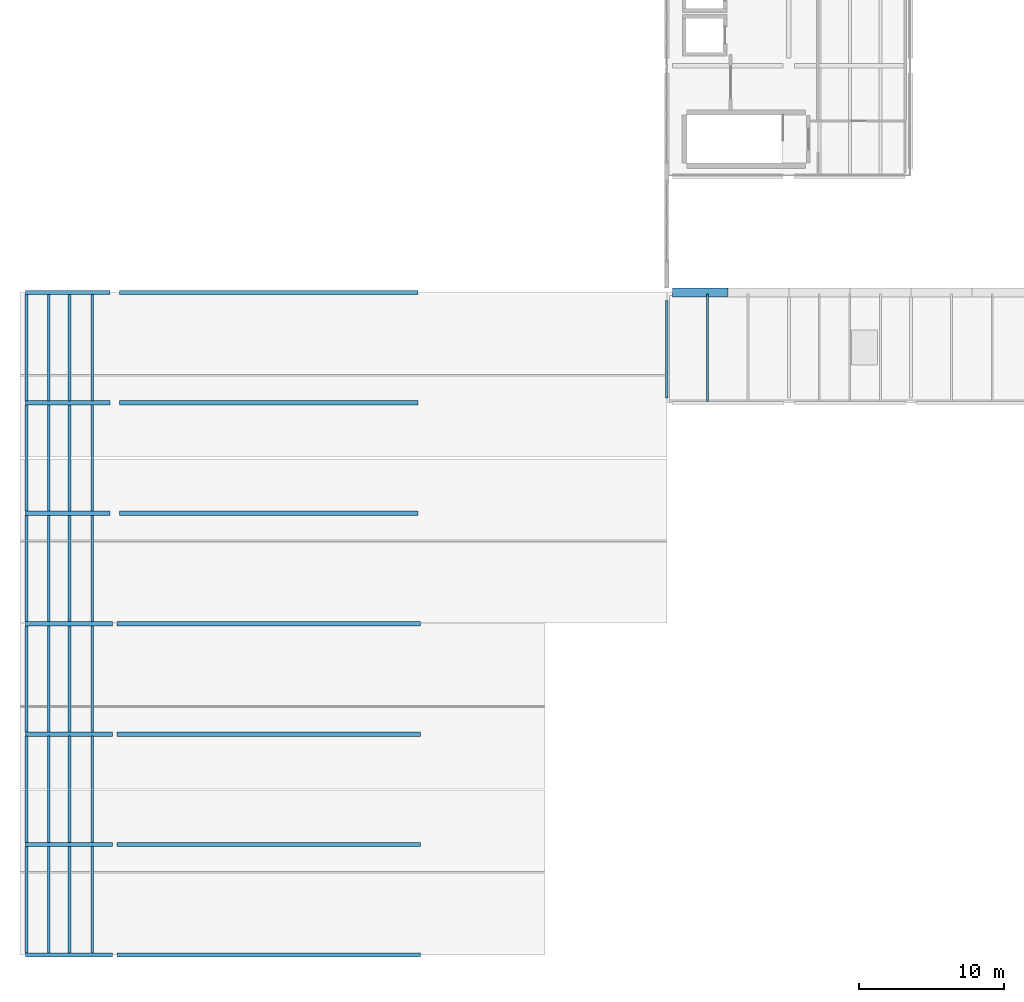
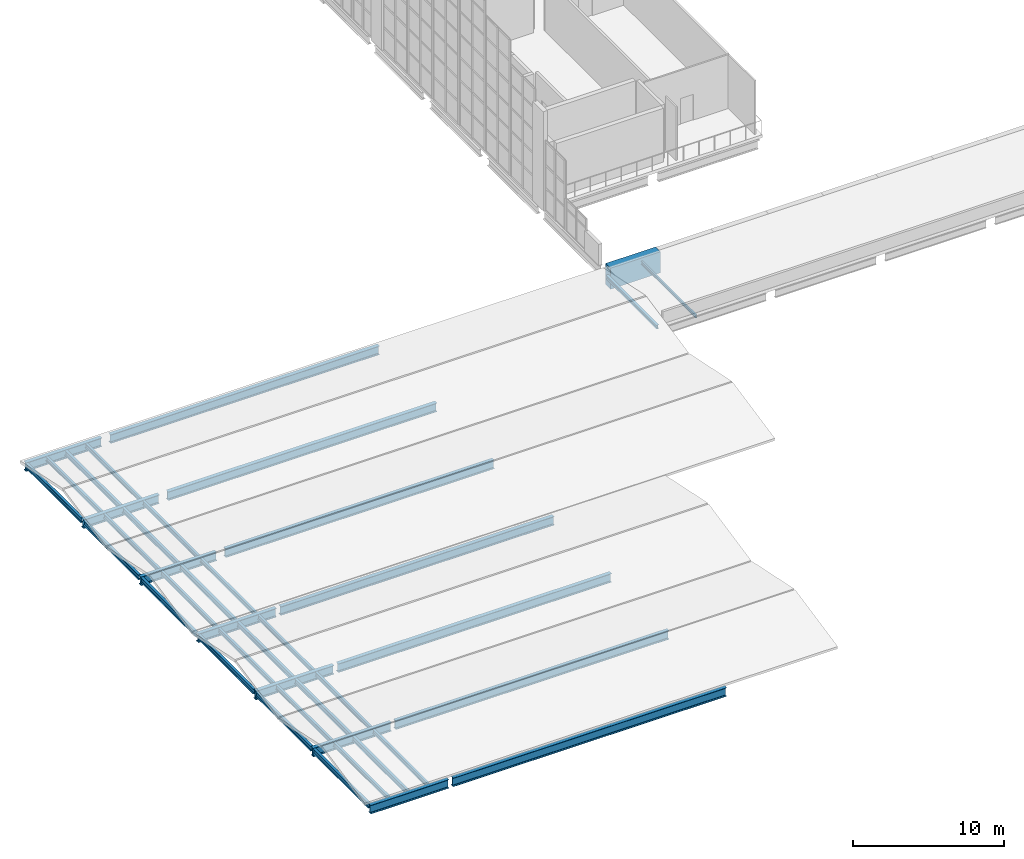
# One storey, part 6 of 37: 41 beams.
"""IFC4 building model written with IfcOpenShell, lengths in metres."""

from ifc_helpers import new_model, si_unit, direction, frame, origin, origin_2d, place, context, subcontext, project, spatial, rectangle, i_section, extrude, material, material_profile, profile_set, type_object, element, save


model = new_model("IFC4")

# Units and contexts
model_context = context("Model", 3, precision=1e-05, world=origin(), true_north=direction((0.0, 1.0)))
body_context = subcontext(model_context, "Body", "Model", "MODEL_VIEW")
ifc_project = project(units=[si_unit("LENGTHUNIT", "METRE"), si_unit("AREAUNIT", "SQUARE_METRE"), si_unit("VOLUMEUNIT", "CUBIC_METRE"), si_unit("PLANEANGLEUNIT", "RADIAN"), si_unit("MASSUNIT", "GRAM", prefix="KILO")], contexts=[model_context])

# Site, building, storey
site_placement = place(None, origin())
site = spatial("IfcSite", under=ifc_project, at=site_placement, CompositionType="ELEMENT")
building_placement = place(site_placement, origin())
building = spatial("IfcBuilding", under=site, at=building_placement, Name="Shengluoqiao Park Theatre", CompositionType="ELEMENT")
storey_placement = place(building_placement, frame((0.0, 0.0, 19.199951171875)))
storey = spatial("IfcBuildingStorey", under=building, at=storey_placement, Name="L04", CompositionType="ELEMENT", Elevation=19.199951171875)

# Beams
ifc_material_1 = material(Name="Concrete C50", Category="concrete")
ifc_material_profile_1 = material_profile(ifc_material_1, rectangle(XDim=0.64990234375, YDim=1.699951171875, at=origin_2d()), Name="RC EDGE 650x1700")
ifc_profile_set_1 = profile_set([ifc_material_profile_1], Name="Concrete C50")
beam_type_1 = type_object("IfcBeamType", Name="STR-BM-EB-6517", PredefinedType="BEAM", material=ifc_profile_set_1)
beam_1_placement = place(storey_placement, frame((44.800048828125, 76.0, -0.849853515625), z_axis=(1.0, 0.0, 0.0), x_axis=(0.0, 1.0, 0.0)))
element("IfcBeam", 1, at=beam_1_placement, inside=storey, type_object=beam_type_1, Name="Barrel-Shell Form I Edge Beam S-01", PredefinedType="BEAM", context=body_context, shape_type="SweptSolid", body=[
    extrude(rectangle(XDim=0.64990234375, YDim=1.699951171875, at=origin_2d()), origin(), (0.0, 0.0, 1.0), 3.800048828125),
])
ifc_material_2 = material(Name="Steel Q355", Category="steel")
ifc_material_profile_2 = material_profile(ifc_material_2, i_section(OverallWidth=0.199951171875, OverallDepth=0.2939453125, WebThickness=0.008056640625, FlangeThickness=0.011962890625, FilletRadius=0.01611328125, at=origin_2d()), Name="HM 294x200x8x12")
ifc_profile_set_2 = profile_set([ifc_material_profile_2], Name="Steel Q355")
beam_type_2 = type_object("IfcBeamType", Name="STR-BM-G-HM294", PredefinedType="BEAM", material=ifc_profile_set_2)
beam_2_placement = place(storey_placement, frame((44.39990234375, 68.743896484375, -0.39697265625), z_axis=(0.0, 1.0, 0.0), x_axis=(-1.0, 0.0, 0.0)))
element("IfcBeam", 2, at=beam_2_placement, inside=storey, type_object=beam_type_2, Name="L04 Transverse Girder 01981", PredefinedType="BEAM", context=body_context, shape_type="SweptSolid", body=[
    extrude(i_section(OverallWidth=0.199951171875, OverallDepth=0.2939453125, WebThickness=0.008056640625, FlangeThickness=0.011962890625, FilletRadius=0.01611328125, at=origin_2d()), origin(), (0.0, 0.0, 1.0), 6.712158203125),
])
ifc_material_3 = material(Name="Steel Q390", Category="steel")
ifc_material_profile_3 = material_profile(ifc_material_3, i_section(OverallWidth=0.300048828125, OverallDepth=0.699951171875, WebThickness=0.012939453125, FlangeThickness=0.02392578125, FilletRadius=0.02392578125, at=origin_2d()), Name="HN 700x300x13x24")
ifc_profile_set_3 = profile_set([ifc_material_profile_3], Name="Steel Q390")
beam_type_3 = type_object("IfcBeamType", Name="STR-BM-G-HN700", PredefinedType="BEAM", material=ifc_profile_set_3)
beam_3_placement = place(storey_placement, frame((0.260009765625, 30.39990234375, -0.58984375), z_axis=(1.0, 0.0, 0.0), x_axis=(0.0, 1.0, 0.0)))
element("IfcBeam", 3, at=beam_3_placement, inside=storey, type_object=beam_type_3, Name="CT-V3-1 L04 Cantilever Overhang Chord", PredefinedType="BEAM", context=body_context, shape_type="SweptSolid", body=[
    extrude(i_section(OverallWidth=0.300048828125, OverallDepth=0.699951171875, WebThickness=0.012939453125, FlangeThickness=0.02392578125, FilletRadius=0.02392578125, at=origin_2d()), origin(), (0.0, 0.0, 1.0), 5.97802734375),
])
beam_4_placement = place(storey_placement, frame((6.56201171875, 30.39990234375, -0.58984375), z_axis=(1.0, 0.0, 0.0), x_axis=(0.0, 1.0, 0.0)))
element("IfcBeam", 4, at=beam_4_placement, inside=storey, type_object=beam_type_3, Name="CT-V3-1 L04 Continuous Back-Span Chord", PredefinedType="BEAM", context=body_context, shape_type="SweptSolid", body=[
    extrude(i_section(OverallWidth=0.300048828125, OverallDepth=0.699951171875, WebThickness=0.012939453125, FlangeThickness=0.02392578125, FilletRadius=0.02392578125, at=origin_2d()), origin(), (0.0, 0.0, 1.0), 20.8759765625),
])
beam_5_placement = place(storey_placement, frame((0.260009765625, 38.0, -0.58984375), z_axis=(1.0, 0.0, 0.0), x_axis=(0.0, 1.0, 0.0)))
element("IfcBeam", 5, at=beam_5_placement, inside=storey, type_object=beam_type_3, Name="CT-V3-2 L04 Cantilever Overhang Chord", PredefinedType="BEAM", context=body_context, shape_type="SweptSolid", body=[
    extrude(i_section(OverallWidth=0.300048828125, OverallDepth=0.699951171875, WebThickness=0.012939453125, FlangeThickness=0.02392578125, FilletRadius=0.02392578125, at=origin_2d()), origin(), (0.0, 0.0, 1.0), 5.97802734375),
])
beam_6_placement = place(storey_placement, frame((6.56201171875, 38.0, -0.58984375), z_axis=(1.0, 0.0, 0.0), x_axis=(0.0, 1.0, 0.0)))
element("IfcBeam", 6, at=beam_6_placement, inside=storey, type_object=beam_type_3, Name="CT-V3-2 L04 Continuous Back-Span Chord", PredefinedType="BEAM", context=body_context, shape_type="SweptSolid", body=[
    extrude(i_section(OverallWidth=0.300048828125, OverallDepth=0.699951171875, WebThickness=0.012939453125, FlangeThickness=0.02392578125, FilletRadius=0.02392578125, at=origin_2d()), origin(), (0.0, 0.0, 1.0), 20.8759765625),
])
beam_7_placement = place(storey_placement, frame((0.260009765625, 45.60009765625, -0.58984375), z_axis=(1.0, 0.0, 0.0), x_axis=(0.0, 1.0, 0.0)))
element("IfcBeam", 7, at=beam_7_placement, inside=storey, type_object=beam_type_3, Name="CT-V3-3 L04 Cantilever Overhang Chord", PredefinedType="BEAM", context=body_context, shape_type="SweptSolid", body=[
    extrude(i_section(OverallWidth=0.300048828125, OverallDepth=0.699951171875, WebThickness=0.012939453125, FlangeThickness=0.02392578125, FilletRadius=0.02392578125, at=origin_2d()), origin(), (0.0, 0.0, 1.0), 5.97802734375),
])
beam_8_placement = place(storey_placement, frame((6.56201171875, 45.60009765625, -0.58984375), z_axis=(1.0, 0.0, 0.0), x_axis=(0.0, 1.0, 0.0)))
element("IfcBeam", 8, at=beam_8_placement, inside=storey, type_object=beam_type_3, Name="CT-V3-3 L04 Continuous Back-Span Chord", PredefinedType="BEAM", context=body_context, shape_type="SweptSolid", body=[
    extrude(i_section(OverallWidth=0.300048828125, OverallDepth=0.699951171875, WebThickness=0.012939453125, FlangeThickness=0.02392578125, FilletRadius=0.02392578125, at=origin_2d()), origin(), (0.0, 0.0, 1.0), 20.8759765625),
])
beam_9_placement = place(storey_placement, frame((0.260009765625, 53.199951171875, -0.58984375), z_axis=(1.0, 0.0, 0.0), x_axis=(0.0, 1.0, 0.0)))
element("IfcBeam", 9, at=beam_9_placement, inside=storey, type_object=beam_type_3, Name="CT-V3-4 L04 Cantilever Overhang Chord", PredefinedType="BEAM", context=body_context, shape_type="SweptSolid", body=[
    extrude(i_section(OverallWidth=0.300048828125, OverallDepth=0.699951171875, WebThickness=0.012939453125, FlangeThickness=0.02392578125, FilletRadius=0.02392578125, at=origin_2d()), origin(), (0.0, 0.0, 1.0), 5.97802734375),
])
beam_10_placement = place(storey_placement, frame((6.56201171875, 53.199951171875, -0.58984375), z_axis=(1.0, 0.0, 0.0), x_axis=(0.0, 1.0, 0.0)))
element("IfcBeam", 10, at=beam_10_placement, inside=storey, type_object=beam_type_3, Name="CT-V3-4 L04 Continuous Back-Span Chord", PredefinedType="BEAM", context=body_context, shape_type="SweptSolid", body=[
    extrude(i_section(OverallWidth=0.300048828125, OverallDepth=0.699951171875, WebThickness=0.012939453125, FlangeThickness=0.02392578125, FilletRadius=0.02392578125, at=origin_2d()), origin(), (0.0, 0.0, 1.0), 20.8759765625),
])
beam_11_placement = place(storey_placement, frame((0.260009765625, 60.800048828125, -0.58984375), z_axis=(1.0, 0.0, 0.0), x_axis=(0.0, 1.0, 0.0)))
element("IfcBeam", 11, at=beam_11_placement, inside=storey, type_object=beam_type_3, Name="CT-V5-1 L04 Cantilever Overhang Chord", PredefinedType="BEAM", context=body_context, shape_type="SweptSolid", body=[
    extrude(i_section(OverallWidth=0.300048828125, OverallDepth=0.699951171875, WebThickness=0.012939453125, FlangeThickness=0.02392578125, FilletRadius=0.02392578125, at=origin_2d()), origin(), (0.0, 0.0, 1.0), 5.802001953125),
])
beam_12_placement = place(storey_placement, frame((6.738037109375, 60.800048828125, -0.58984375), z_axis=(1.0, 0.0, 0.0), x_axis=(0.0, 1.0, 0.0)))
element("IfcBeam", 12, at=beam_12_placement, inside=storey, type_object=beam_type_3, Name="CT-V5-1 L04 Continuous Back-Span Chord", PredefinedType="BEAM", context=body_context, shape_type="SweptSolid", body=[
    extrude(i_section(OverallWidth=0.300048828125, OverallDepth=0.699951171875, WebThickness=0.012939453125, FlangeThickness=0.02392578125, FilletRadius=0.02392578125, at=origin_2d()), origin(), (0.0, 0.0, 1.0), 20.52392578125),
])
beam_13_placement = place(storey_placement, frame((0.260009765625, 68.39990234375, -0.58984375), z_axis=(1.0, 0.0, 0.0), x_axis=(0.0, 1.0, 0.0)))
element("IfcBeam", 13, at=beam_13_placement, inside=storey, type_object=beam_type_3, Name="CT-V5-2 L04 Cantilever Overhang Chord", PredefinedType="BEAM", context=body_context, shape_type="SweptSolid", body=[
    extrude(i_section(OverallWidth=0.300048828125, OverallDepth=0.699951171875, WebThickness=0.012939453125, FlangeThickness=0.02392578125, FilletRadius=0.02392578125, at=origin_2d()), origin(), (0.0, 0.0, 1.0), 5.802001953125),
])
beam_14_placement = place(storey_placement, frame((6.738037109375, 68.39990234375, -0.58984375), z_axis=(1.0, 0.0, 0.0), x_axis=(0.0, 1.0, 0.0)))
element("IfcBeam", 14, at=beam_14_placement, inside=storey, type_object=beam_type_3, Name="CT-V5-2 L04 Continuous Back-Span Chord", PredefinedType="BEAM", context=body_context, shape_type="SweptSolid", body=[
    extrude(i_section(OverallWidth=0.300048828125, OverallDepth=0.699951171875, WebThickness=0.012939453125, FlangeThickness=0.02392578125, FilletRadius=0.02392578125, at=origin_2d()), origin(), (0.0, 0.0, 1.0), 20.52392578125),
])
beam_15_placement = place(storey_placement, frame((0.260009765625, 76.0, -0.58984375), z_axis=(1.0, 0.0, 0.0), x_axis=(0.0, 1.0, 0.0)))
element("IfcBeam", 15, at=beam_15_placement, inside=storey, type_object=beam_type_3, Name="CT-V5-3 L04 Cantilever Overhang Chord", PredefinedType="BEAM", context=body_context, shape_type="SweptSolid", body=[
    extrude(i_section(OverallWidth=0.300048828125, OverallDepth=0.699951171875, WebThickness=0.012939453125, FlangeThickness=0.02392578125, FilletRadius=0.02392578125, at=origin_2d()), origin(), (0.0, 0.0, 1.0), 5.802001953125),
])
beam_16_placement = place(storey_placement, frame((6.738037109375, 76.0, -0.58984375), z_axis=(1.0, 0.0, 0.0), x_axis=(0.0, 1.0, 0.0)))
element("IfcBeam", 16, at=beam_16_placement, inside=storey, type_object=beam_type_3, Name="CT-V5-3 L04 Continuous Back-Span Chord", PredefinedType="BEAM", context=body_context, shape_type="SweptSolid", body=[
    extrude(i_section(OverallWidth=0.300048828125, OverallDepth=0.699951171875, WebThickness=0.012939453125, FlangeThickness=0.02392578125, FilletRadius=0.02392578125, at=origin_2d()), origin(), (0.0, 0.0, 1.0), 20.52392578125),
])
ifc_material_profile_4 = material_profile(ifc_material_2, i_section(OverallWidth=0.125, OverallDepth=0.25, WebThickness=0.006103515625, FlangeThickness=0.009033203125, FilletRadius=0.010009765625, at=origin_2d()), Name="HN 250x125x6x9")
ifc_profile_set_4 = profile_set([ifc_material_profile_4], Name="Steel Q355")
beam_type_4 = type_object("IfcBeamType", Name="STR-BM-J-HN250", PredefinedType="JOIST", material=ifc_profile_set_4)
beam_17_placement = place(storey_placement, frame((47.199951171875, 68.494384765625, -0.375), z_axis=(0.0, 1.0, 0.0), x_axis=(-1.0, 0.0, 0.0)))
element("IfcBeam", 17, at=beam_17_placement, inside=storey, type_object=beam_type_4, Name="L04 Composite Joist 01987", PredefinedType="JOIST", context=body_context, shape_type="SweptSolid", body=[
    extrude(i_section(OverallWidth=0.125, OverallDepth=0.25, WebThickness=0.006103515625, FlangeThickness=0.009033203125, FilletRadius=0.010009765625, at=origin_2d()), origin(), (0.0, 0.0, 1.0), 7.4111328125),
])
ifc_material_profile_5 = material_profile(ifc_material_2, i_section(OverallWidth=0.175048828125, OverallDepth=0.35009765625, WebThickness=0.007080078125, FlangeThickness=0.010986328125, FilletRadius=0.013916015625, at=origin_2d()), Name="HN 350x175x7x11")
ifc_profile_set_5 = profile_set([ifc_material_profile_5], Name="Steel Q355")
beam_type_5 = type_object("IfcBeamType", Name="STR-BM-J-HN350", PredefinedType="JOIST", material=ifc_profile_set_5)
for number, where, z_axis, x_axis, name in (
    (18, (1.85009765625, 30.5439453125, -0.4150390625), (0.0, 1.0, 0.0), (-1.0, 0.0, 0.0), "V3 L04 Cantilever Joist 00034"),
    (19, (1.85009765625, 38.14404296875, -0.4150390625), (0.0, 1.0, 0.0), (-1.0, 0.0, 0.0), "V3 L04 Cantilever Joist 00035"),
    (20, (1.85009765625, 45.743896484375, -0.4150390625), (0.0, 1.0, 0.0), (-1.0, 0.0, 0.0), "V3 L04 Cantilever Joist 00036"),
    (21, (4.85009765625, 30.5439453125, -0.4150390625), (0.0, 1.0, 0.0), (-1.0, 0.0, 0.0), "V3 L04 Cantilever Joist 00037"),
    (22, (4.85009765625, 38.14404296875, -0.4150390625), (0.0, 1.0, 0.0), (-1.0, 0.0, 0.0), "V3 L04 Cantilever Joist 00038"),
    (23, (4.85009765625, 45.743896484375, -0.4150390625), (0.0, 1.0, 0.0), (-1.0, 0.0, 0.0), "V3 L04 Cantilever Joist 00039"),
    (24, (1.85009765625, 53.343994140625, -0.4150390625), (0.0, 1.0, 0.0), (-1.0, 0.0, 0.0), "V5 L04 Cantilever Joist 00073"),
    (25, (1.85009765625, 60.944091796875, -0.4150390625), (0.0, 1.0, 0.0), (-1.0, 0.0, 0.0), "V5 L04 Cantilever Joist 00074"),
    (26, (1.85009765625, 68.5439453125, -0.4150390625), (0.0, 1.0, 0.0), (-1.0, 0.0, 0.0), "V5 L04 Cantilever Joist 00075"),
    (27, (4.85009765625, 53.343994140625, -0.4150390625), (0.0, 1.0, 0.0), (-1.0, 0.0, 0.0), "V5 L04 Cantilever Joist 00076"),
    (28, (4.85009765625, 60.944091796875, -0.4150390625), (0.0, 1.0, 0.0), (-1.0, 0.0, 0.0), "V5 L04 Cantilever Joist 00077"),
    (29, (4.85009765625, 68.5439453125, -0.4150390625), (0.0, 1.0, 0.0), (-1.0, 0.0, 0.0), "V5 L04 Cantilever Joist 00078"),
):
    element("IfcBeam", number, at=place(storey_placement, frame(where, z_axis=z_axis, x_axis=x_axis)), inside=storey, type_object=beam_type_5, Name=name, PredefinedType="JOIST", context=body_context, shape_type="SweptSolid", body=[
        extrude(i_section(OverallWidth=0.175048828125, OverallDepth=0.35009765625, WebThickness=0.007080078125, FlangeThickness=0.010986328125, FilletRadius=0.013916015625, at=origin_2d()), origin(), (0.0, 0.0, 1.0), 7.31201171875),
    ])
ifc_material_profile_6 = material_profile(ifc_material_2, i_section(OverallWidth=0.198974609375, OverallDepth=0.39599609375, WebThickness=0.007080078125, FlangeThickness=0.010986328125, FilletRadius=0.01611328125, at=origin_2d()), Name="HN 396x199x7x11")
ifc_profile_set_6 = profile_set([ifc_material_profile_6], Name="Steel Q355")
beam_type_6 = type_object("IfcBeamType", Name="STR-BM-SP-HN396", PredefinedType="SPANDREL", material=ifc_profile_set_6)
for number, where, z_axis, x_axis, name in (
    (30, (0.320068359375, 30.5439453125, -0.43798828125), (0.0, 1.0, 0.0), (-1.0, 0.0, 0.0), "V3 L04 Cantilever Spandrel 00028"),
    (31, (0.320068359375, 38.14404296875, -0.43798828125), (0.0, 1.0, 0.0), (-1.0, 0.0, 0.0), "V3 L04 Cantilever Spandrel 00029"),
    (32, (0.320068359375, 45.743896484375, -0.43798828125), (0.0, 1.0, 0.0), (-1.0, 0.0, 0.0), "V3 L04 Cantilever Spandrel 00030"),
    (33, (3.300048828125, 30.5439453125, -0.43798828125), (0.0, 1.0, 0.0), (-1.0, 0.0, 0.0), "V3 L04 Cantilever Spandrel 00031"),
    (34, (3.300048828125, 38.14404296875, -0.43798828125), (0.0, 1.0, 0.0), (-1.0, 0.0, 0.0), "V3 L04 Cantilever Spandrel 00032"),
    (35, (3.300048828125, 45.743896484375, -0.43798828125), (0.0, 1.0, 0.0), (-1.0, 0.0, 0.0), "V3 L04 Cantilever Spandrel 00033"),
    (36, (0.320068359375, 53.343994140625, -0.43798828125), (0.0, 1.0, 0.0), (-1.0, 0.0, 0.0), "V5 L04 Cantilever Spandrel 00067"),
    (37, (0.320068359375, 60.944091796875, -0.43798828125), (0.0, 1.0, 0.0), (-1.0, 0.0, 0.0), "V5 L04 Cantilever Spandrel 00068"),
    (38, (0.320068359375, 68.5439453125, -0.43798828125), (0.0, 1.0, 0.0), (-1.0, 0.0, 0.0), "V5 L04 Cantilever Spandrel 00069"),
    (39, (3.300048828125, 53.343994140625, -0.43798828125), (0.0, 1.0, 0.0), (-1.0, 0.0, 0.0), "V5 L04 Cantilever Spandrel 00070"),
    (40, (3.300048828125, 60.944091796875, -0.43798828125), (0.0, 1.0, 0.0), (-1.0, 0.0, 0.0), "V5 L04 Cantilever Spandrel 00071"),
    (41, (3.300048828125, 68.5439453125, -0.43798828125), (0.0, 1.0, 0.0), (-1.0, 0.0, 0.0), "V5 L04 Cantilever Spandrel 00072"),
):
    element("IfcBeam", number, at=place(storey_placement, frame(where, z_axis=z_axis, x_axis=x_axis)), inside=storey, type_object=beam_type_6, Name=name, PredefinedType="SPANDREL", context=body_context, shape_type="SweptSolid", body=[
        extrude(i_section(OverallWidth=0.198974609375, OverallDepth=0.39599609375, WebThickness=0.007080078125, FlangeThickness=0.010986328125, FilletRadius=0.01611328125, at=origin_2d()), origin(), (0.0, 0.0, 1.0), 7.31201171875),
    ])

save(model, "model.ifc")
